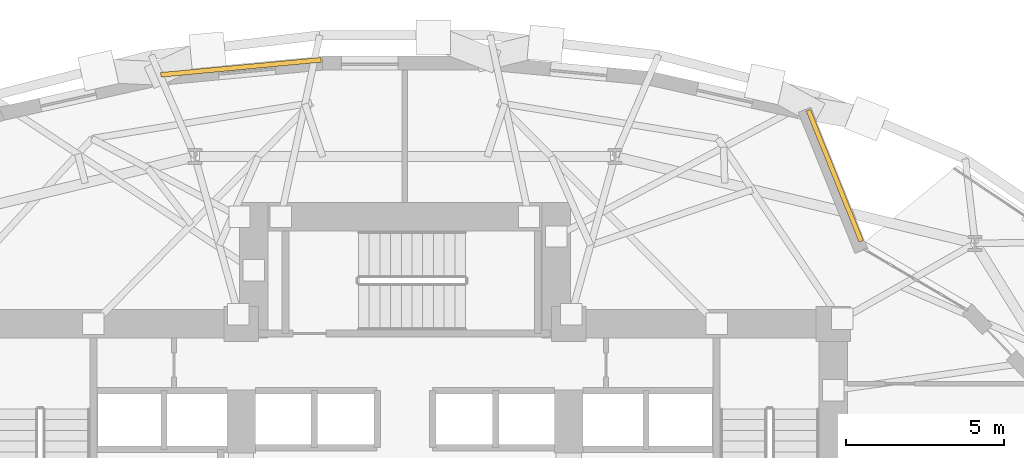
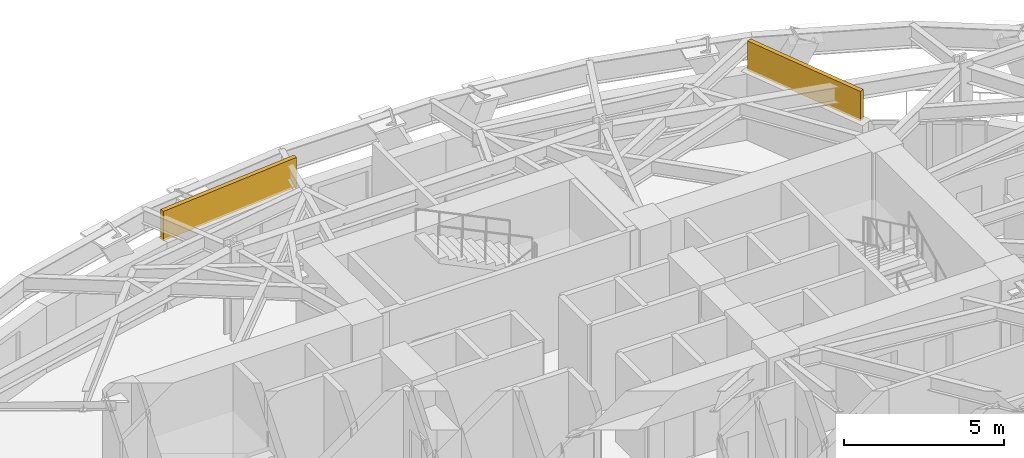
# One storey, part 15 of 15: 2 coverings.
"""IFC4 building model written with IfcOpenShell, lengths in metres."""

from ifc_helpers import new_model, si_unit, direction, frame, origin, origin_2d, place, context, subcontext, project, spatial, rectangle, extrude, material, layer, layer_set, type_object, element, save


model = new_model("IFC4")

# Units and contexts
model_context = context("Model", 3, precision=1e-05, world=origin(), true_north=direction((0.0, 1.0)))
body_context = subcontext(model_context, "Body", "Model", "MODEL_VIEW")
ifc_project = project(units=[si_unit("LENGTHUNIT", "METRE"), si_unit("AREAUNIT", "SQUARE_METRE"), si_unit("VOLUMEUNIT", "CUBIC_METRE"), si_unit("PLANEANGLEUNIT", "RADIAN"), si_unit("MASSUNIT", "GRAM", prefix="KILO")], contexts=[model_context])

# Site, building, storey
site_placement = place(None, origin())
site = spatial("IfcSite", under=ifc_project, at=site_placement, CompositionType="ELEMENT")
building_placement = place(site_placement, origin())
building = spatial("IfcBuilding", under=site, at=building_placement, Name="Keldmark Tower", CompositionType="ELEMENT")
storey_placement = place(building_placement, frame((0.0, 0.0, 37.800048828125)))
storey = spatial("IfcBuildingStorey", under=building, at=storey_placement, Name="L09", CompositionType="ELEMENT", Elevation=37.800048828125)

# Coverings
ifc_material = material(Name="Honed Kasota Buff Dolomitic Limestone", Category="masonry")
ifc_layer = layer(ifc_material, 0.074951171875)
ifc_layer_set = layer_set([ifc_layer], Name="Honed Kasota Buff Dolomitic Limestone")
covering_type = type_object("IfcCoveringType", Name="Kasota Buff Limestone Spandrel Cladding Band", PredefinedType="CLADDING", material=ifc_layer_set)
covering_1_placement = place(storey_placement, frame((13.644287109375, 14.151611328125, 2.452880859375), z_axis=(0.0, 0.0, 1.0), x_axis=(-0.373975392652, 0.927438626374, 0.0)))
element("IfcCovering", 1, at=covering_1_placement, inside=storey, type_object=covering_type, Name="L09 Kasota Limestone Spandrel Band 05", PredefinedType="CLADDING", context=body_context, shape_type="SweptSolid", body=[
    extrude(rectangle(XDim=4.486083984375, YDim=0.14990234375, at=origin_2d()), origin(), (0.0, 0.0, 1.0), 1.126953125),
])
covering_2_placement = place(storey_placement, frame((-5.2041015625, 17.59375, 2.452880859375), z_axis=(0.0, 0.0, 1.0), x_axis=(-0.995651843396, -0.093152599226, 0.0)))
element("IfcCovering", 2, at=covering_2_placement, inside=storey, type_object=covering_type, Name="L09 Kasota Limestone Spandrel Band 09", PredefinedType="CLADDING", context=body_context, shape_type="SweptSolid", body=[
    extrude(rectangle(XDim=5.1123046875, YDim=0.14990234375, at=origin_2d()), origin(), (0.0, 0.0, 1.0), 1.126953125),
])

save(model, "model.ifc")
